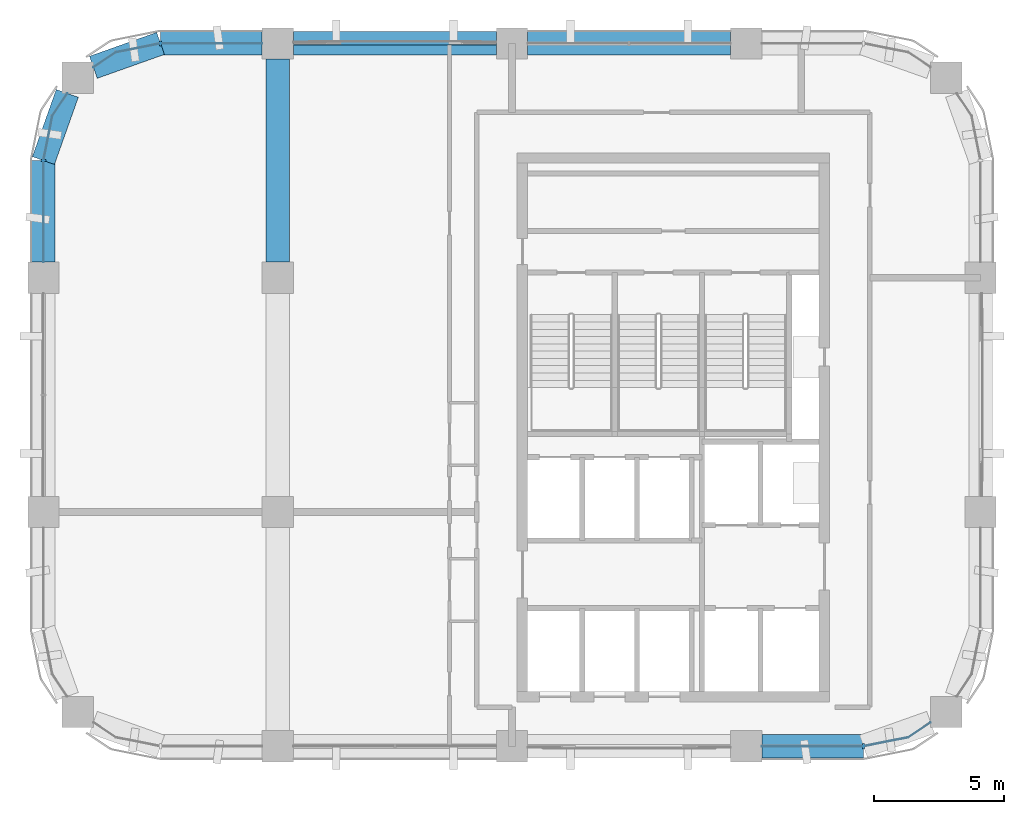
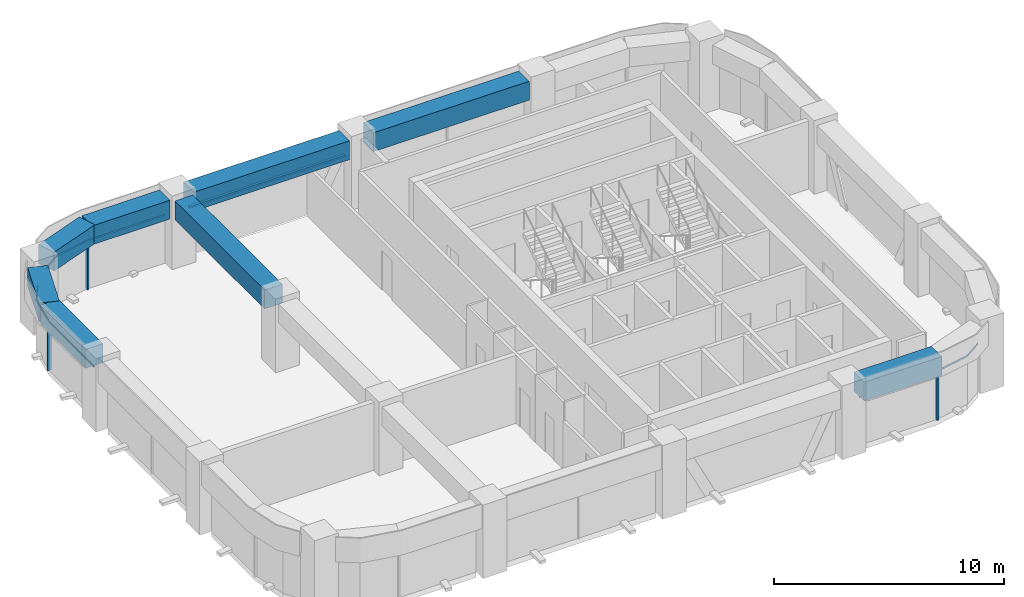
# One storey, part 3 of 9: 8 beams, 7 members, 4 elements without a shape of their own.
"""IFC4 building model written with IfcOpenShell, lengths in metres."""

from ifc_helpers import new_model, si_unit, direction, frame, origin, origin_2d, place, context, subcontext, project, spatial, polyline, rectangle, outline, extrude, material, material_profile, profile_set, type_object, element, aggregate, save


model = new_model("IFC4")

# Units and contexts
model_context = context("Model", 3, precision=1e-05, world=origin(), true_north=direction((0.0, 1.0)))
body_context = subcontext(model_context, "Body", "Model", "MODEL_VIEW")
ifc_project = project(units=[si_unit("LENGTHUNIT", "METRE"), si_unit("AREAUNIT", "SQUARE_METRE"), si_unit("VOLUMEUNIT", "CUBIC_METRE"), si_unit("PLANEANGLEUNIT", "RADIAN"), si_unit("MASSUNIT", "GRAM", prefix="KILO")], contexts=[model_context])

# Site, building, storey
site_placement = place(None, origin())
site = spatial("IfcSite", under=ifc_project, at=site_placement, CompositionType="ELEMENT")
building_placement = place(site_placement, origin())
building = spatial("IfcBuilding", under=site, at=building_placement, Name="Tessera Arch", CompositionType="ELEMENT")
storey_placement = place(building_placement, frame((0.0, 0.0, 277.39990234375)))
storey = spatial("IfcBuildingStorey", under=building, at=storey_placement, Name="L67", CompositionType="ELEMENT", Elevation=277.39990234375)

# Curtain wall, member
ifc_material_1 = material(Name="CW2 curtain wall")
curtain_wall_type_1 = type_object("IfcCurtainWallType", Name="CW2 curtain wall", PredefinedType="NOTDEFINED", material=ifc_material_1)
curtain_wall_1_placement = place(storey_placement, origin())
curtain_wall_1 = element("IfcCurtainWall", 1, at=curtain_wall_1_placement, inside=storey, type_object=curtain_wall_type_1, Name="CW2 curtain wall N54.18/3 L67", PredefinedType="NOTDEFINED")
ifc_material_2 = material(Name="Anodised aluminium pale metal", Category="aluminium")
ifc_material_profile_1 = material_profile(ifc_material_2, rectangle(XDim=0.199951171875, YDim=0.080078125, at=origin_2d()), Name="AL 80x200")
ifc_profile_set_1 = profile_set([ifc_material_profile_1], Name="Anodised aluminium pale metal")
member_type_1 = type_object("IfcMemberType", Name="CW2 mullion", PredefinedType="MULLION", material=ifc_profile_set_1)
member_1_placement = place(storey_placement, frame((22.5, 54.0, 0.0), z_axis=(0.0, 0.0, 1.0), x_axis=(0.0, -1.0, 0.0)))
member_1 = element("IfcMember", 2, at=member_1_placement, type_object=member_type_1, Name="CW2 mullion N54.18/3 1", PredefinedType="MULLION", context=body_context, shape_type="SweptSolid", body=[
    extrude(rectangle(XDim=0.199951171875, YDim=0.080078125, at=origin_2d()), origin(), (0.0, 0.0, 1.0), 2.5),
])

curtain_wall_2_placement = place(storey_placement, origin())
curtain_wall_2 = element("IfcCurtainWall", 3, at=curtain_wall_2_placement, inside=storey, type_object=curtain_wall_type_1, Name="CW2 curtain wall W18.27/0 L67", PredefinedType="NOTDEFINED")
member_2_placement = place(storey_placement, frame((18.0, 49.5, 0.0), z_axis=(0.0, 0.0, 1.0), x_axis=(1.0, 0.0, 0.0)))
member_2 = element("IfcMember", 4, at=member_2_placement, type_object=member_type_1, Name="CW2 mullion W18.27/0 1", PredefinedType="MULLION", context=body_context, shape_type="SweptSolid", body=[
    extrude(rectangle(XDim=0.199951171875, YDim=0.080078125, at=origin_2d()), origin(), (0.0, 0.0, 1.0), 2.5),
])

curtain_wall_3_placement = place(storey_placement, origin())
curtain_wall_3 = element("IfcCurtainWall", 5, at=curtain_wall_3_placement, inside=storey, type_object=curtain_wall_type_1, Name="CW2 curtain wall S27.18/3 L67", PredefinedType="NOTDEFINED")
member_3_placement = place(storey_placement, frame((49.5, 27.0, 0.0), z_axis=(0.0, 0.0, 1.0), x_axis=(0.0, 1.0, 0.0)))
member_3 = element("IfcMember", 6, at=member_3_placement, type_object=member_type_1, Name="CW2 mullion S27.18/3 1", PredefinedType="MULLION", context=body_context, shape_type="SweptSolid", body=[
    extrude(rectangle(XDim=0.199951171875, YDim=0.080078125, at=origin_2d()), origin(), (0.0, 0.0, 1.0), 2.5),
])

# Member
ifc_material_3 = material(Name="Anodised aluminium pale metal", Category="aluminium")
ifc_material_profile_2 = material_profile(ifc_material_3, rectangle(XDim=0.199951171875, YDim=0.10009765625, at=origin_2d()), Name="AL 200x100")
ifc_profile_set_2 = profile_set([ifc_material_profile_2], Name="Anodised aluminium pale metal")
member_type_2 = type_object("IfcMemberType", Name="CW2 transom", PredefinedType="USERDEFINED", material=ifc_profile_set_2)
member_4_placement = place(storey_placement, frame((0.0, 0.0, 2.5)))
member_4 = element("IfcMember", 7, at=member_4_placement, type_object=member_type_2, Name="CW2 transom N54.18/3 1", ObjectType="TRANSOM", PredefinedType="USERDEFINED", context=body_context, shape_type="SweptSolid", body=[
    extrude(outline(polyline([(22.5009765625, 53.989990234375), (26.39990234375, 53.989990234375), (26.39990234375, 54.010009765625), (22.4990234375, 54.010009765625), (20.77392578125, 53.6669921875), (19.912353515625, 53.09130859375), (19.923583984375, 53.07470703125), (20.78173828125, 53.648193359375), (22.5009765625, 53.989990234375)])), origin(), (0.0, 0.0, 1.0), 0.10009765625),
])

aggregate(curtain_wall_1, [member_1, member_4])

member_5_placement = place(storey_placement, frame((0.0, 0.0, 2.5)))
member_5 = element("IfcMember", 8, at=member_5_placement, type_object=member_type_2, Name="CW2 transom W18.27/0 1", ObjectType="TRANSOM", PredefinedType="USERDEFINED", context=body_context, shape_type="SweptSolid", body=[
    extrude(outline(polyline([(18.351806640625, 51.21826171875), (18.92529296875, 52.076416015625), (18.90869140625, 52.087646484375), (18.3330078125, 51.22607421875), (17.989990234375, 49.5009765625), (17.989990234375, 45.60009765625), (18.010009765625, 45.60009765625), (18.010009765625, 49.4990234375), (18.351806640625, 51.21826171875)])), origin(), (0.0, 0.0, 1.0), 0.10009765625),
])

aggregate(curtain_wall_2, [member_2, member_5])

member_6_placement = place(storey_placement, frame((0.0, 0.0, 2.5)))
member_6 = element("IfcMember", 9, at=member_6_placement, type_object=member_type_2, Name="CW2 transom S27.18/3 1", ObjectType="TRANSOM", PredefinedType="USERDEFINED", context=body_context, shape_type="SweptSolid", body=[
    extrude(outline(polyline([(49.4990234375, 27.010009765625), (45.60009765625, 27.010009765625), (45.60009765625, 26.989990234375), (49.5009765625, 26.989990234375), (51.22607421875, 27.3330078125), (52.087646484375, 27.90869140625), (52.076416015625, 27.92529296875), (51.21826171875, 27.351806640625), (49.4990234375, 27.010009765625)])), origin(), (0.0, 0.0, 1.0), 0.10009765625),
])

aggregate(curtain_wall_3, [member_3, member_6])

# Curtain wall, member
ifc_material_4 = material(Name="CW3 curtain wall")
curtain_wall_type_2 = type_object("IfcCurtainWallType", Name="CW3 curtain wall", PredefinedType="NOTDEFINED", material=ifc_material_4)
curtain_wall_4_placement = place(storey_placement, origin())
curtain_wall_4 = element("IfcCurtainWall", 10, at=curtain_wall_4_placement, inside=storey, type_object=curtain_wall_type_2, Name="CW3 curtain wall N54.18/2 L67", PredefinedType="NOTDEFINED")
ifc_material_5 = material(Name="Anodised aluminium pale metal", Category="aluminium")
ifc_material_profile_3 = material_profile(ifc_material_5, rectangle(XDim=0.139892578125, YDim=0.10009765625, at=origin_2d()), Name="AL 140x100")
ifc_profile_set_3 = profile_set([ifc_material_profile_3], Name="Anodised aluminium pale metal")
member_type_3 = type_object("IfcMemberType", Name="CW3 transom", PredefinedType="USERDEFINED", material=ifc_profile_set_3)
member_7_placement = place(storey_placement, frame((35.39990234375, 54.0, 2.550048828125), z_axis=(-1.0, 0.0, 0.0), x_axis=(0.0, -1.0, 0.0)))
member_7 = element("IfcMember", 11, at=member_7_placement, type_object=member_type_3, Name="CW3 transom N54.18/2 1.1", ObjectType="TRANSOM", PredefinedType="USERDEFINED", context=body_context, shape_type="SweptSolid", body=[
    extrude(rectangle(XDim=0.139892578125, YDim=0.10009765625, at=origin_2d()), origin(), (0.0, 0.0, 1.0), 7.7998046875),
])
aggregate(curtain_wall_4, [member_7])

# Beams
ifc_material_6 = material(Name="Concrete C60/75", Category="concrete")
ifc_material_profile_4 = material_profile(ifc_material_6, rectangle(XDim=0.89990234375, YDim=1.0, at=origin_2d()), Name="RC spandrel beam 900 x 1000 Concrete C60/75")
ifc_profile_set_4 = profile_set([ifc_material_profile_4], Name="Concrete C60/75")
beam_type = type_object("IfcBeamType", Name="RC spandrel beam 900 x 1000 Concrete C60/75", PredefinedType="BEAM", material=ifc_profile_set_4)
for number, where, z_axis, x_axis, name in (
    (12, (44.39990234375, 54.0, 3.10009765625), (-1.0, 0.0, 0.0), (0.0, -1.0, 0.0), "Spandrel beam L67 N54.18/1"),
    (13, (35.39990234375, 54.0, 3.10009765625), (-1.0, 0.0, 0.0), (0.0, -1.0, 0.0), "Spandrel beam L67 N54.18/2"),
):
    element("IfcBeam", number, at=place(storey_placement, frame(where, z_axis=z_axis, x_axis=x_axis)), inside=storey, type_object=beam_type, Name=name, PredefinedType="BEAM", context=body_context, shape_type="SweptSolid", body=[
        extrude(rectangle(XDim=0.89990234375, YDim=1.0, at=origin_2d()), origin(), (0.0, 0.0, 1.0), 7.7998046875),
    ])
beam_1_placement = place(storey_placement, frame((26.39990234375, 54.0, 3.10009765625), z_axis=(-1.0, 0.0, 0.0), x_axis=(0.0, -1.0, 0.0)))
element("IfcBeam", 14, at=beam_1_placement, inside=storey, type_object=beam_type, Name="Spandrel beam L67 N54.18/3.1", PredefinedType="BEAM", context=body_context, shape_type="SweptSolid", body=[
    extrude(rectangle(XDim=0.89990234375, YDim=1.0, at=origin_2d()), origin(), (0.0, 0.0, 1.0), 3.89990234375),
])
for number, where, z_axis, x_axis, name in (
    (15, (22.5, 54.0, 3.10009765625), (-0.942337127159, -0.334665114373, 0.0), (0.334665114373, -0.942337127159, 0.0), "Spandrel beam L67 N54.18/3.2"),
    (16, (18.9169921875, 52.08203125, 3.10009765625), (-0.334665114373, -0.942337127159, 0.0), (0.942337127159, -0.334665114373, 0.0), "Spandrel beam L67 W18.27/0.1"),
):
    element("IfcBeam", number, at=place(storey_placement, frame(where, z_axis=z_axis, x_axis=x_axis)), inside=storey, type_object=beam_type, Name=name, PredefinedType="BEAM", context=body_context, shape_type="SweptSolid", body=[
        extrude(rectangle(XDim=0.89990234375, YDim=1.0, at=origin_2d()), origin(), (0.0, 0.0, 1.0), 2.739990234375),
    ])
for number, where, z_axis, x_axis, name in (
    (17, (18.0, 49.5, 3.10009765625), (0.0, -1.0, 0.0), (1.0, 0.0, 0.0), "Spandrel beam L67 W18.27/0.2"),
    (18, (45.60009765625, 27.0, 3.10009765625), (1.0, 0.0, 0.0), (0.0, 1.0, 0.0), "Spandrel beam L67 S27.18/3.1"),
):
    element("IfcBeam", number, at=place(storey_placement, frame(where, z_axis=z_axis, x_axis=x_axis)), inside=storey, type_object=beam_type, Name=name, PredefinedType="BEAM", context=body_context, shape_type="SweptSolid", body=[
        extrude(rectangle(XDim=0.89990234375, YDim=1.0, at=origin_2d()), origin(), (0.0, 0.0, 1.0), 3.89990234375),
    ])
beam_2_placement = place(storey_placement, frame((27.0, 45.60009765625, 3.10009765625), z_axis=(0.0, 1.0, 0.0), x_axis=(-1.0, 0.0, 0.0)))
element("IfcBeam", 19, at=beam_2_placement, inside=storey, type_object=beam_type, Name="Interface beam L67 I0C4F-C4G", PredefinedType="BEAM", context=body_context, shape_type="SweptSolid", body=[
    extrude(rectangle(XDim=0.89990234375, YDim=1.0, at=origin_2d()), origin(), (0.0, 0.0, 1.0), 7.7998046875),
])

save(model, "model.ifc")
